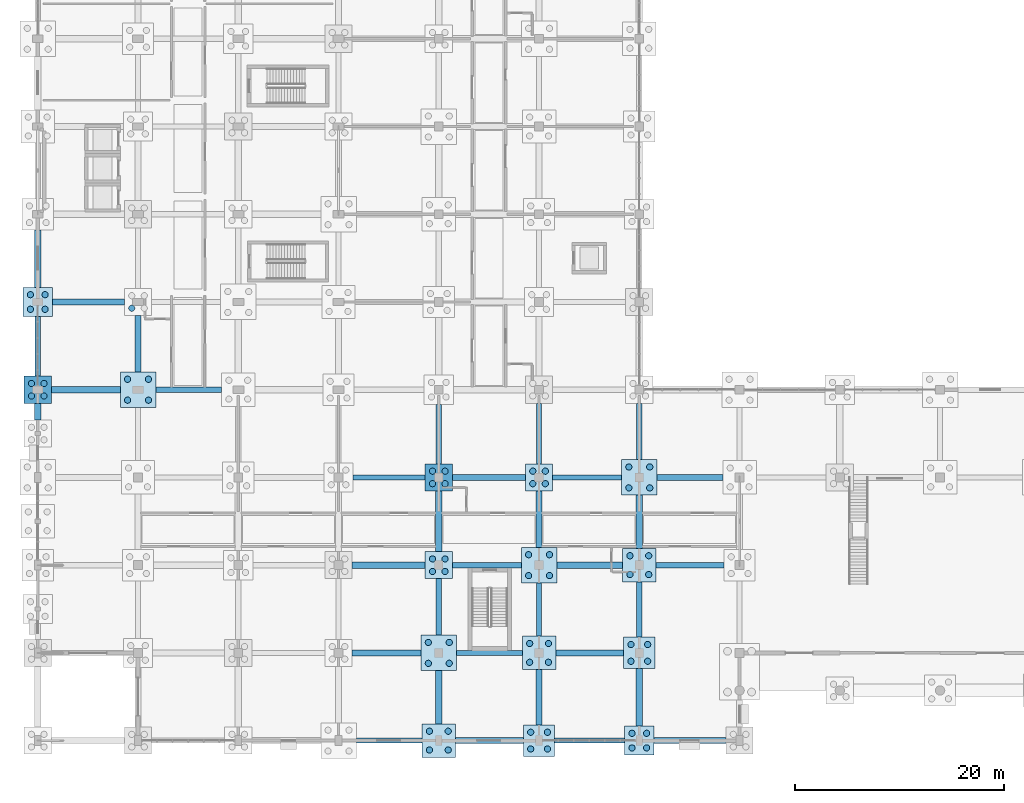
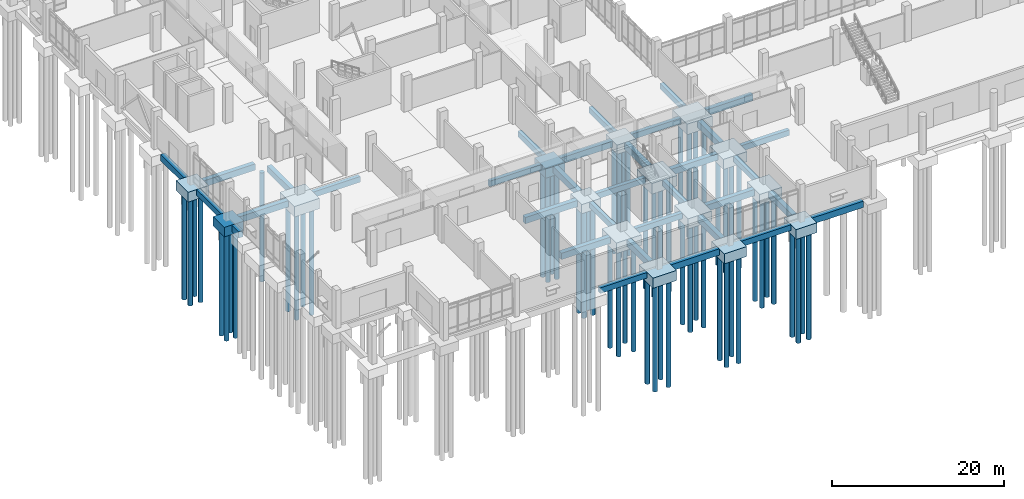
# One storey, part 2 of 136: 61 piles, 49 footings.
"""IFC4 building model written with IfcOpenShell, lengths in metres."""

from ifc_helpers import new_model, si_unit, direction, frame, origin, origin_2d, place, context, subcontext, project, spatial, rectangle, circle, extrude, material, material_profile, profile_set, type_object, element, save


model = new_model("IFC4")

# Units and contexts
model_context = context("Model", 3, precision=1e-05, world=origin(), true_north=direction((0.0, 1.0)))
body_context = subcontext(model_context, "Body", "Model", "MODEL_VIEW")
ifc_project = project(units=[si_unit("LENGTHUNIT", "METRE"), si_unit("AREAUNIT", "SQUARE_METRE"), si_unit("VOLUMEUNIT", "CUBIC_METRE"), si_unit("PLANEANGLEUNIT", "RADIAN"), si_unit("MASSUNIT", "GRAM", prefix="KILO")], contexts=[model_context])

# Site, building, storey
site_placement = place(None, origin())
site = spatial("IfcSite", under=ifc_project, at=site_placement, CompositionType="ELEMENT")
building_placement = place(site_placement, origin())
building = spatial("IfcBuilding", under=site, at=building_placement, Name="Oolite Switchyard Hospital", CompositionType="ELEMENT")
storey_placement = place(building_placement, origin())
storey = spatial("IfcBuildingStorey", under=building, at=storey_placement, Name="L00", CompositionType="ELEMENT", Elevation=0.0)

# Footings
ifc_material = material(Name="Concrete C40/50", Category="concrete")
footing_type_1 = type_object("IfcFootingType", Name="FTG-GB500X800", PredefinedType="FOOTING_BEAM", material=ifc_material)
footing_1_placement = place(storey_placement, frame((33.64990234375, 0.0, -1.14990234375), z_axis=(0.0, 0.0, 1.0), x_axis=(1.0, 0.0, 0.0)))
element("IfcFooting", 1, at=footing_1_placement, inside=storey, type_object=footing_type_1, Name="L00 Grade Beam 4", PredefinedType="FOOTING_BEAM", context=body_context, shape_type="SweptSolid", body=[
    extrude(rectangle(XDim=6.300048828125, YDim=0.5, at=origin_2d()), origin(), (0.0, 0.0, 1.0), 0.800048828125),
])
footing_2_placement = place(storey_placement, frame((52.85009765625, 0.0, -1.14990234375), z_axis=(0.0, 0.0, 1.0), x_axis=(1.0, 0.0, 0.0)))
element("IfcFooting", 2, at=footing_2_placement, inside=storey, type_object=footing_type_1, Name="L00 Grade Beam 6", PredefinedType="FOOTING_BEAM", context=body_context, shape_type="SweptSolid", body=[
    extrude(rectangle(XDim=6.699951171875, YDim=0.5, at=origin_2d()), origin(), (0.0, 0.0, 1.0), 0.800048828125),
])
footing_3_placement = place(storey_placement, frame((43.25, 8.39990234375, -1.14990234375), z_axis=(0.0, 0.0, 1.0), x_axis=(1.0, 0.0, 0.0)))
element("IfcFooting", 3, at=footing_3_placement, inside=storey, type_object=footing_type_1, Name="L00 Grade Beam 12", PredefinedType="FOOTING_BEAM", context=body_context, shape_type="SweptSolid", body=[
    extrude(rectangle(XDim=6.300048828125, YDim=0.5, at=origin_2d()), origin(), (0.0, 0.0, 1.0), 0.800048828125),
])
footing_4_placement = place(storey_placement, frame((43.0, 16.800048828125, -1.14990234375), z_axis=(0.0, 0.0, 1.0), x_axis=(1.0, 0.0, 0.0)))
element("IfcFooting", 4, at=footing_4_placement, inside=storey, type_object=footing_type_1, Name="L00 Grade Beam 24", PredefinedType="FOOTING_BEAM", context=body_context, shape_type="SweptSolid", body=[
    extrude(rectangle(XDim=6.60009765625, YDim=0.5, at=origin_2d()), origin(), (0.0, 0.0, 1.0), 0.800048828125),
])
footing_5_placement = place(storey_placement, frame((62.449951171875, 16.800048828125, -1.14990234375), z_axis=(0.0, 0.0, 1.0), x_axis=(1.0, 0.0, 0.0)))
element("IfcFooting", 5, at=footing_5_placement, inside=storey, type_object=footing_type_1, Name="L00 Grade Beam 26", PredefinedType="FOOTING_BEAM", context=body_context, shape_type="SweptSolid", body=[
    extrude(rectangle(XDim=6.5, YDim=0.5, at=origin_2d()), origin(), (0.0, 0.0, 1.0), 0.800048828125),
])
footing_6_placement = place(storey_placement, frame((33.64990234375, 25.199951171875, -1.14990234375), z_axis=(0.0, 0.0, 1.0), x_axis=(1.0, 0.0, 0.0)))
element("IfcFooting", 6, at=footing_6_placement, inside=storey, type_object=footing_type_1, Name="L00 Grade Beam 38", PredefinedType="FOOTING_BEAM", context=body_context, shape_type="SweptSolid", body=[
    extrude(rectangle(XDim=6.89990234375, YDim=0.5, at=origin_2d()), origin(), (0.0, 0.0, 1.0), 0.800048828125),
])
footing_7_placement = place(storey_placement, frame((52.60009765625, 25.199951171875, -1.14990234375), z_axis=(0.0, 0.0, 1.0), x_axis=(1.0, 0.0, 0.0)))
element("IfcFooting", 7, at=footing_7_placement, inside=storey, type_object=footing_type_1, Name="L00 Grade Beam 40", PredefinedType="FOOTING_BEAM", context=body_context, shape_type="SweptSolid", body=[
    extrude(rectangle(XDim=6.60009765625, YDim=0.5, at=origin_2d()), origin(), (0.0, 0.0, 1.0), 0.800048828125),
])
footing_8_placement = place(storey_placement, frame((14.449951171875, 33.60009765625, -1.14990234375), z_axis=(0.0, 0.0, 1.0), x_axis=(1.0, 0.0, 0.0)))
element("IfcFooting", 8, at=footing_8_placement, inside=storey, type_object=footing_type_1, Name="L00 Grade Beam 58", PredefinedType="FOOTING_BEAM", context=body_context, shape_type="SweptSolid", body=[
    extrude(rectangle(XDim=6.300048828125, YDim=0.5, at=origin_2d()), origin(), (0.0, 0.0, 1.0), 0.800048828125),
])
footing_9_placement = place(storey_placement, frame((0.0, 37.75, -1.14990234375), z_axis=(0.0, 0.0, 1.0), x_axis=(0.0, 1.0, 0.0)))
element("IfcFooting", 9, at=footing_9_placement, inside=storey, type_object=footing_type_1, Name="L00 Grade Beam 269", PredefinedType="FOOTING_BEAM", context=body_context, shape_type="SweptSolid", body=[
    extrude(rectangle(XDim=5.699951171875, YDim=0.5, at=origin_2d()), origin(), (0.0, 0.0, 1.0), 0.800048828125),
])
footing_10_placement = place(storey_placement, frame((38.39990234375, 12.800048828125, -1.14990234375), z_axis=(0.0, 0.0, 1.0), x_axis=(0.0, 1.0, 0.0)))
element("IfcFooting", 10, at=footing_10_placement, inside=storey, type_object=footing_type_1, Name="L00 Grade Beam 329", PredefinedType="FOOTING_BEAM", context=body_context, shape_type="SweptSolid", body=[
    extrude(rectangle(XDim=5.39990234375, YDim=0.5, at=origin_2d()), origin(), (0.0, 0.0, 1.0), 0.800048828125),
])
footing_11_placement = place(storey_placement, frame((38.39990234375, 29.35009765625, -1.14990234375), z_axis=(0.0, 0.0, 1.0), x_axis=(0.0, 1.0, 0.0)))
element("IfcFooting", 11, at=footing_11_placement, inside=storey, type_object=footing_type_1, Name="L00 Grade Beam 331", PredefinedType="FOOTING_BEAM", context=body_context, shape_type="SweptSolid", body=[
    extrude(rectangle(XDim=5.699951171875, YDim=0.5, at=origin_2d()), origin(), (0.0, 0.0, 1.0), 0.800048828125),
])
footing_12_placement = place(storey_placement, frame((48.0, 12.550048828125, -1.14990234375), z_axis=(0.0, 0.0, 1.0), x_axis=(0.0, 1.0, 0.0)))
element("IfcFooting", 12, at=footing_12_placement, inside=storey, type_object=footing_type_1, Name="L00 Grade Beam 345", PredefinedType="FOOTING_BEAM", context=body_context, shape_type="SweptSolid", body=[
    extrude(rectangle(XDim=5.10009765625, YDim=0.5, at=origin_2d()), origin(), (0.0, 0.0, 1.0), 0.800048828125),
])
footing_13_placement = place(storey_placement, frame((48.0, 29.39990234375, -1.14990234375), z_axis=(0.0, 0.0, 1.0), x_axis=(0.0, 1.0, 0.0)))
element("IfcFooting", 13, at=footing_13_placement, inside=storey, type_object=footing_type_1, Name="L00 Grade Beam 347", PredefinedType="FOOTING_BEAM", context=body_context, shape_type="SweptSolid", body=[
    extrude(rectangle(XDim=5.800048828125, YDim=0.5, at=origin_2d()), origin(), (0.0, 0.0, 1.0), 0.800048828125),
])
footing_14_placement = place(storey_placement, frame((57.60009765625, 12.550048828125, -1.14990234375), z_axis=(0.0, 0.0, 1.0), x_axis=(0.0, 1.0, 0.0)))
element("IfcFooting", 14, at=footing_14_placement, inside=storey, type_object=footing_type_1, Name="L00 Grade Beam 361", PredefinedType="FOOTING_BEAM", context=body_context, shape_type="SweptSolid", body=[
    extrude(rectangle(XDim=5.300048828125, YDim=0.5, at=origin_2d()), origin(), (0.0, 0.0, 1.0), 0.800048828125),
])
footing_15_placement = place(storey_placement, frame((57.60009765625, 29.60009765625, -1.14990234375), z_axis=(0.0, 0.0, 1.0), x_axis=(0.0, 1.0, 0.0)))
element("IfcFooting", 15, at=footing_15_placement, inside=storey, type_object=footing_type_1, Name="L00 Grade Beam 363", PredefinedType="FOOTING_BEAM", context=body_context, shape_type="SweptSolid", body=[
    extrude(rectangle(XDim=5.39990234375, YDim=0.5, at=origin_2d()), origin(), (0.0, 0.0, 1.0), 0.800048828125),
])
footing_type_2 = type_object("IfcFootingType", Name="FTG-GB600X900", PredefinedType="FOOTING_BEAM", material=ifc_material)
footing_16_placement = place(storey_placement, frame((43.25, 0.0, -1.25), z_axis=(0.0, 0.0, 1.0), x_axis=(1.0, 0.0, 0.0)))
element("IfcFooting", 16, at=footing_16_placement, inside=storey, type_object=footing_type_2, Name="L00 Grade Beam 5", PredefinedType="FOOTING_BEAM", context=body_context, shape_type="SweptSolid", body=[
    extrude(rectangle(XDim=6.5, YDim=0.60009765625, at=origin_2d()), origin(), (0.0, 0.0, 1.0), 0.89990234375),
])
footing_17_placement = place(storey_placement, frame((62.449951171875, 0.0, -1.25), z_axis=(0.0, 0.0, 1.0), x_axis=(1.0, 0.0, 0.0)))
element("IfcFooting", 17, at=footing_17_placement, inside=storey, type_object=footing_type_2, Name="L00 Grade Beam 7", PredefinedType="FOOTING_BEAM", context=body_context, shape_type="SweptSolid", body=[
    extrude(rectangle(XDim=6.89990234375, YDim=0.60009765625, at=origin_2d()), origin(), (0.0, 0.0, 1.0), 0.89990234375),
])
footing_18_placement = place(storey_placement, frame((33.39990234375, 8.39990234375, -1.25), z_axis=(0.0, 0.0, 1.0), x_axis=(1.0, 0.0, 0.0)))
element("IfcFooting", 18, at=footing_18_placement, inside=storey, type_object=footing_type_2, Name="L00 Grade Beam 11", PredefinedType="FOOTING_BEAM", context=body_context, shape_type="SweptSolid", body=[
    extrude(rectangle(XDim=6.60009765625, YDim=0.60009765625, at=origin_2d()), origin(), (0.0, 0.0, 1.0), 0.89990234375),
])
footing_19_placement = place(storey_placement, frame((52.85009765625, 8.39990234375, -1.25), z_axis=(0.0, 0.0, 1.0), x_axis=(1.0, 0.0, 0.0)))
element("IfcFooting", 19, at=footing_19_placement, inside=storey, type_object=footing_type_2, Name="L00 Grade Beam 13", PredefinedType="FOOTING_BEAM", context=body_context, shape_type="SweptSolid", body=[
    extrude(rectangle(XDim=6.5, YDim=0.60009765625, at=origin_2d()), origin(), (0.0, 0.0, 1.0), 0.89990234375),
])
footing_20_placement = place(storey_placement, frame((33.60009765625, 16.800048828125, -1.25), z_axis=(0.0, 0.0, 1.0), x_axis=(1.0, 0.0, 0.0)))
element("IfcFooting", 20, at=footing_20_placement, inside=storey, type_object=footing_type_2, Name="L00 Grade Beam 23", PredefinedType="FOOTING_BEAM", context=body_context, shape_type="SweptSolid", body=[
    extrude(rectangle(XDim=7.0, YDim=0.60009765625, at=origin_2d()), origin(), (0.0, 0.0, 1.0), 0.89990234375),
])
footing_21_placement = place(storey_placement, frame((52.85009765625, 16.800048828125, -1.25), z_axis=(0.0, 0.0, 1.0), x_axis=(1.0, 0.0, 0.0)))
element("IfcFooting", 21, at=footing_21_placement, inside=storey, type_object=footing_type_2, Name="L00 Grade Beam 25", PredefinedType="FOOTING_BEAM", context=body_context, shape_type="SweptSolid", body=[
    extrude(rectangle(XDim=6.300048828125, YDim=0.60009765625, at=origin_2d()), origin(), (0.0, 0.0, 1.0), 0.89990234375),
])
footing_22_placement = place(storey_placement, frame((43.199951171875, 25.199951171875, -1.25), z_axis=(0.0, 0.0, 1.0), x_axis=(1.0, 0.0, 0.0)))
element("IfcFooting", 22, at=footing_22_placement, inside=storey, type_object=footing_type_2, Name="L00 Grade Beam 39", PredefinedType="FOOTING_BEAM", context=body_context, shape_type="SweptSolid", body=[
    extrude(rectangle(XDim=7.0, YDim=0.60009765625, at=origin_2d()), origin(), (0.0, 0.0, 1.0), 0.89990234375),
])
footing_23_placement = place(storey_placement, frame((62.449951171875, 25.199951171875, -1.25), z_axis=(0.0, 0.0, 1.0), x_axis=(1.0, 0.0, 0.0)))
element("IfcFooting", 23, at=footing_23_placement, inside=storey, type_object=footing_type_2, Name="L00 Grade Beam 41", PredefinedType="FOOTING_BEAM", context=body_context, shape_type="SweptSolid", body=[
    extrude(rectangle(XDim=6.300048828125, YDim=0.60009765625, at=origin_2d()), origin(), (0.0, 0.0, 1.0), 0.89990234375),
])
footing_24_placement = place(storey_placement, frame((4.60009765625, 33.60009765625, -1.25), z_axis=(0.0, 0.0, 1.0), x_axis=(1.0, 0.0, 0.0)))
element("IfcFooting", 24, at=footing_24_placement, inside=storey, type_object=footing_type_2, Name="L00 Grade Beam 57", PredefinedType="FOOTING_BEAM", context=body_context, shape_type="SweptSolid", body=[
    extrude(rectangle(XDim=6.60009765625, YDim=0.60009765625, at=origin_2d()), origin(), (0.0, 0.0, 1.0), 0.89990234375),
])
footing_25_placement = place(storey_placement, frame((4.85009765625, 42.0, -1.25), z_axis=(0.0, 0.0, 1.0), x_axis=(1.0, 0.0, 0.0)))
element("IfcFooting", 25, at=footing_25_placement, inside=storey, type_object=footing_type_2, Name="L00 Grade Beam 73", PredefinedType="FOOTING_BEAM", context=body_context, shape_type="SweptSolid", body=[
    extrude(rectangle(XDim=6.89990234375, YDim=0.60009765625, at=origin_2d()), origin(), (0.0, 0.0, 1.0), 0.89990234375),
])
footing_26_placement = place(storey_placement, frame((0.0, 31.5, -1.25), z_axis=(0.0, 0.0, 1.0), x_axis=(0.0, 1.0, 0.0)))
element("IfcFooting", 26, at=footing_26_placement, inside=storey, type_object=footing_type_2, Name="L00 Grade Beam 268", PredefinedType="FOOTING_BEAM", context=body_context, shape_type="SweptSolid", body=[
    extrude(rectangle(XDim=1.60009765625, YDim=0.60009765625, at=origin_2d()), origin(), (0.0, 0.0, 1.0), 0.89990234375),
])
footing_27_placement = place(storey_placement, frame((0.0, 46.14990234375, -1.25), z_axis=(0.0, 0.0, 1.0), x_axis=(0.0, 1.0, 0.0)))
element("IfcFooting", 27, at=footing_27_placement, inside=storey, type_object=footing_type_2, Name="L00 Grade Beam 270", PredefinedType="FOOTING_BEAM", context=body_context, shape_type="SweptSolid", body=[
    extrude(rectangle(XDim=5.5, YDim=0.60009765625, at=origin_2d()), origin(), (0.0, 0.0, 1.0), 0.89990234375),
])
footing_28_placement = place(storey_placement, frame((9.60009765625, 38.0, -1.25), z_axis=(0.0, 0.0, 1.0), x_axis=(0.0, 1.0, 0.0)))
element("IfcFooting", 28, at=footing_28_placement, inside=storey, type_object=footing_type_2, Name="L00 Grade Beam 284", PredefinedType="FOOTING_BEAM", context=body_context, shape_type="SweptSolid", body=[
    extrude(rectangle(XDim=5.39990234375, YDim=0.60009765625, at=origin_2d()), origin(), (0.0, 0.0, 1.0), 0.89990234375),
])
footing_29_placement = place(storey_placement, frame((38.39990234375, 4.14990234375, -1.25), z_axis=(0.0, 0.0, 1.0), x_axis=(0.0, 1.0, 0.0)))
element("IfcFooting", 29, at=footing_29_placement, inside=storey, type_object=footing_type_2, Name="L00 Grade Beam 328", PredefinedType="FOOTING_BEAM", context=body_context, shape_type="SweptSolid", body=[
    extrude(rectangle(XDim=5.10009765625, YDim=0.60009765625, at=origin_2d()), origin(), (0.0, 0.0, 1.0), 0.89990234375),
])
footing_30_placement = place(storey_placement, frame((38.39990234375, 21.0, -1.25), z_axis=(0.0, 0.0, 1.0), x_axis=(0.0, 1.0, 0.0)))
element("IfcFooting", 30, at=footing_30_placement, inside=storey, type_object=footing_type_2, Name="L00 Grade Beam 330", PredefinedType="FOOTING_BEAM", context=body_context, shape_type="SweptSolid", body=[
    extrude(rectangle(XDim=5.800048828125, YDim=0.60009765625, at=origin_2d()), origin(), (0.0, 0.0, 1.0), 0.89990234375),
])
footing_31_placement = place(storey_placement, frame((48.0, 4.14990234375, -1.25), z_axis=(0.0, 0.0, 1.0), x_axis=(0.0, 1.0, 0.0)))
element("IfcFooting", 31, at=footing_31_placement, inside=storey, type_object=footing_type_2, Name="L00 Grade Beam 344", PredefinedType="FOOTING_BEAM", context=body_context, shape_type="SweptSolid", body=[
    extrude(rectangle(XDim=5.300048828125, YDim=0.60009765625, at=origin_2d()), origin(), (0.0, 0.0, 1.0), 0.89990234375),
])
footing_32_placement = place(storey_placement, frame((48.0, 21.199951171875, -1.25), z_axis=(0.0, 0.0, 1.0), x_axis=(0.0, 1.0, 0.0)))
element("IfcFooting", 32, at=footing_32_placement, inside=storey, type_object=footing_type_2, Name="L00 Grade Beam 346", PredefinedType="FOOTING_BEAM", context=body_context, shape_type="SweptSolid", body=[
    extrude(rectangle(XDim=5.39990234375, YDim=0.60009765625, at=origin_2d()), origin(), (0.0, 0.0, 1.0), 0.89990234375),
])
footing_33_placement = place(storey_placement, frame((57.60009765625, 4.14990234375, -1.25), z_axis=(0.0, 0.0, 1.0), x_axis=(0.0, 1.0, 0.0)))
element("IfcFooting", 33, at=footing_33_placement, inside=storey, type_object=footing_type_2, Name="L00 Grade Beam 360", PredefinedType="FOOTING_BEAM", context=body_context, shape_type="SweptSolid", body=[
    extrude(rectangle(XDim=5.5, YDim=0.60009765625, at=origin_2d()), origin(), (0.0, 0.0, 1.0), 0.89990234375),
])
footing_34_placement = place(storey_placement, frame((57.60009765625, 20.949951171875, -1.25), z_axis=(0.0, 0.0, 1.0), x_axis=(0.0, 1.0, 0.0)))
element("IfcFooting", 34, at=footing_34_placement, inside=storey, type_object=footing_type_2, Name="L00 Grade Beam 362", PredefinedType="FOOTING_BEAM", context=body_context, shape_type="SweptSolid", body=[
    extrude(rectangle(XDim=5.10009765625, YDim=0.60009765625, at=origin_2d()), origin(), (0.0, 0.0, 1.0), 0.89990234375),
])
footing_type_3 = type_object("IfcFootingType", Name="FTG-PC24", PredefinedType="PILE_CAP", material=ifc_material)
for number, where, z_axis, x_axis, name in (
    (35, (38.39990234375, 16.800048828125, -1.64990234375), (0.0, 0.0, 1.0), (1.0, 0.0, 0.0), "L00 Multi-Pile Cap 73"),
    (36, (48.0, 25.199951171875, -1.64990234375), (0.0, 0.0, 1.0), (1.0, 0.0, 0.0), "L00 Multi-Pile Cap 91"),
):
    element("IfcFooting", number, at=place(storey_placement, frame(where, z_axis=z_axis, x_axis=x_axis)), inside=storey, type_object=footing_type_3, Name=name, PredefinedType="PILE_CAP", context=body_context, shape_type="SweptSolid", body=[
        extrude(rectangle(XDim=2.60009765625, YDim=2.60009765625, at=origin_2d()), origin(), (0.0, 0.0, 1.0), 1.300048828125),
    ])
footing_type_4 = type_object("IfcFootingType", Name="FTG-PC26", PredefinedType="PILE_CAP", material=ifc_material)
for number, where, z_axis, x_axis, name in (
    (37, (0.0, 33.60009765625, -1.699951171875), (0.0, 0.0, 1.0), (1.0, 0.0, 0.0), "L00 Multi-Pile Cap 8"),
    (38, (38.39990234375, 25.199951171875, -1.699951171875), (0.0, 0.0, 1.0), (1.0, 0.0, 0.0), "L00 Multi-Pile Cap 74"),
):
    element("IfcFooting", number, at=place(storey_placement, frame(where, z_axis=z_axis, x_axis=x_axis)), inside=storey, type_object=footing_type_4, Name=name, PredefinedType="PILE_CAP", context=body_context, shape_type="SweptSolid", body=[
        extrude(rectangle(XDim=2.60009765625, YDim=2.60009765625, at=origin_2d()), origin(), (0.0, 0.0, 1.0), 1.35009765625),
    ])
footing_type_5 = type_object("IfcFootingType", Name="FTG-PC28", PredefinedType="PILE_CAP", material=ifc_material)
for number, where, z_axis, x_axis, name in (
    (39, (0.0, 42.0, -1.75), (0.0, 0.0, 1.0), (1.0, 0.0, 0.0), "L00 Multi-Pile Cap 9"),
    (40, (57.60009765625, 0.0, -1.75), (0.0, 0.0, 1.0), (1.0, 0.0, 0.0), "L00 Multi-Pile Cap 105"),
):
    element("IfcFooting", number, at=place(storey_placement, frame(where, z_axis=z_axis, x_axis=x_axis)), inside=storey, type_object=footing_type_5, Name=name, PredefinedType="PILE_CAP", context=body_context, shape_type="SweptSolid", body=[
        extrude(rectangle(XDim=2.800048828125, YDim=2.800048828125, at=origin_2d()), origin(), (0.0, 0.0, 1.0), 1.39990234375),
    ])
footing_type_6 = type_object("IfcFootingType", Name="FTG-PC30", PredefinedType="PILE_CAP", material=ifc_material)
for number, where, z_axis, x_axis, name in (
    (41, (48.0, 0.0, -1.77001953125), (0.0, 0.0, 1.0), (1.0, 0.0, 0.0), "L00 Multi-Pile Cap 88"),
    (42, (57.60009765625, 8.39990234375, -1.77001953125), (0.0, 0.0, 1.0), (1.0, 0.0, 0.0), "L00 Multi-Pile Cap 106"),
):
    element("IfcFooting", number, at=place(storey_placement, frame(where, z_axis=z_axis, x_axis=x_axis)), inside=storey, type_object=footing_type_6, Name=name, PredefinedType="PILE_CAP", context=body_context, shape_type="SweptSolid", body=[
        extrude(rectangle(XDim=3.0, YDim=3.0, at=origin_2d()), origin(), (0.0, 0.0, 1.0), 1.419921875),
    ])
footing_type_7 = type_object("IfcFootingType", Name="FTG-PC32", PredefinedType="PILE_CAP", material=ifc_material)
for number, where, z_axis, x_axis, name in (
    (43, (38.39990234375, 0.0, -1.7998046875), (0.0, 0.0, 1.0), (1.0, 0.0, 0.0), "L00 Multi-Pile Cap 71"),
    (44, (48.0, 8.39990234375, -1.7998046875), (0.0, 0.0, 1.0), (1.0, 0.0, 0.0), "L00 Multi-Pile Cap 89"),
    (45, (57.60009765625, 16.800048828125, -1.7998046875), (0.0, 0.0, 1.0), (1.0, 0.0, 0.0), "L00 Multi-Pile Cap 107"),
):
    element("IfcFooting", number, at=place(storey_placement, frame(where, z_axis=z_axis, x_axis=x_axis)), inside=storey, type_object=footing_type_7, Name=name, PredefinedType="PILE_CAP", context=body_context, shape_type="SweptSolid", body=[
        extrude(rectangle(XDim=3.199951171875, YDim=3.199951171875, at=origin_2d()), origin(), (0.0, 0.0, 1.0), 1.449951171875),
    ])
footing_type_8 = type_object("IfcFootingType", Name="FTG-PC34", PredefinedType="PILE_CAP", material=ifc_material)
for number, where, z_axis, x_axis, name in (
    (46, (9.60009765625, 33.60009765625, -1.85009765625), (0.0, 0.0, 1.0), (1.0, 0.0, 0.0), "L00 Multi-Pile Cap 24"),
    (47, (38.39990234375, 8.39990234375, -1.85009765625), (0.0, 0.0, 1.0), (1.0, 0.0, 0.0), "L00 Multi-Pile Cap 72"),
    (48, (48.0, 16.800048828125, -1.85009765625), (0.0, 0.0, 1.0), (1.0, 0.0, 0.0), "L00 Multi-Pile Cap 90"),
    (49, (57.60009765625, 25.199951171875, -1.85009765625), (0.0, 0.0, 1.0), (1.0, 0.0, 0.0), "L00 Multi-Pile Cap 108"),
):
    element("IfcFooting", number, at=place(storey_placement, frame(where, z_axis=z_axis, x_axis=x_axis)), inside=storey, type_object=footing_type_8, Name=name, PredefinedType="PILE_CAP", context=body_context, shape_type="SweptSolid", body=[
        extrude(rectangle(XDim=3.39990234375, YDim=3.39990234375, at=origin_2d()), origin(), (0.0, 0.0, 1.0), 1.5),
    ])

# Piles
ifc_material_profile = material_profile(ifc_material, circle(Radius=0.300048828125, at=origin_2d()), Name="PILE600")
ifc_profile_set = profile_set([ifc_material_profile], Name="Concrete C40/50")
pile_type = type_object("IfcPileType", Name="PILE-ACIP600", PredefinedType="BORED", material=ifc_profile_set)
for number, where, z_axis, x_axis, name in (
    (50, (-0.60009765625, 33.0, -1.550048828125), (0.0, 0.0, -1.0), (1.0, 0.0, 0.0), "Augercast Pile 29"),
    (51, (0.60009765625, 33.0, -1.550048828125), (0.0, 0.0, -1.0), (1.0, 0.0, 0.0), "Augercast Pile 30"),
    (52, (-0.60009765625, 34.199951171875, -1.550048828125), (0.0, 0.0, -1.0), (1.0, 0.0, 0.0), "Augercast Pile 31"),
    (53, (0.60009765625, 34.199951171875, -1.550048828125), (0.0, 0.0, -1.0), (1.0, 0.0, 0.0), "Augercast Pile 32"),
):
    element("IfcPile", number, at=place(storey_placement, frame(where, z_axis=z_axis, x_axis=x_axis)), inside=storey, type_object=pile_type, Name=name, PredefinedType="BORED", context=body_context, shape_type="SweptSolid", body=[
        extrude(circle(Radius=0.300048828125, at=origin_2d()), origin(), (0.0, 0.0, 1.0), 15.449951171875),
    ])
for number, where, z_axis, x_axis, name in (
    (54, (-0.699951171875, 41.300048828125, -1.60009765625), (0.0, 0.0, -1.0), (1.0, 0.0, 0.0), "Augercast Pile 33"),
    (55, (0.699951171875, 41.300048828125, -1.60009765625), (0.0, 0.0, -1.0), (1.0, 0.0, 0.0), "Augercast Pile 34"),
    (56, (-0.699951171875, 42.699951171875, -1.60009765625), (0.0, 0.0, -1.0), (1.0, 0.0, 0.0), "Augercast Pile 35"),
    (57, (0.699951171875, 42.699951171875, -1.60009765625), (0.0, 0.0, -1.0), (1.0, 0.0, 0.0), "Augercast Pile 36"),
):
    element("IfcPile", number, at=place(storey_placement, frame(where, z_axis=z_axis, x_axis=x_axis)), inside=storey, type_object=pile_type, Name=name, PredefinedType="BORED", context=body_context, shape_type="SweptSolid", body=[
        extrude(circle(Radius=0.300048828125, at=origin_2d()), origin(), (0.0, 0.0, 1.0), 15.39990234375),
    ])
for number, where, z_axis, x_axis, name in (
    (58, (8.60009765625, 32.60009765625, -1.699951171875), (0.0, 0.0, -1.0), (1.0, 0.0, 0.0), "Augercast Pile 93"),
    (59, (10.60009765625, 32.60009765625, -1.699951171875), (0.0, 0.0, -1.0), (1.0, 0.0, 0.0), "Augercast Pile 94"),
    (60, (8.60009765625, 34.60009765625, -1.699951171875), (0.0, 0.0, -1.0), (1.0, 0.0, 0.0), "Augercast Pile 95"),
    (61, (10.60009765625, 34.60009765625, -1.699951171875), (0.0, 0.0, -1.0), (1.0, 0.0, 0.0), "Augercast Pile 96"),
):
    element("IfcPile", number, at=place(storey_placement, frame(where, z_axis=z_axis, x_axis=x_axis)), inside=storey, type_object=pile_type, Name=name, PredefinedType="BORED", context=body_context, shape_type="SweptSolid", body=[
        extrude(circle(Radius=0.300048828125, at=origin_2d()), origin(), (0.0, 0.0, 1.0), 15.300048828125),
    ])
pile_placement = place(storey_placement, frame((9.0, 41.39990234375, -1.5), z_axis=(0.0, 0.0, -1.0), x_axis=(1.0, 0.0, 0.0)))
element("IfcPile", 62, at=pile_placement, inside=storey, type_object=pile_type, Name="Augercast Pile 97", PredefinedType="BORED", context=body_context, shape_type="SweptSolid", body=[
    extrude(circle(Radius=0.300048828125, at=origin_2d()), origin(), (0.0, 0.0, 1.0), 15.5),
])
for number, where, z_axis, x_axis, name in (
    (63, (37.5, -0.89990234375, -1.64990234375), (0.0, 0.0, -1.0), (1.0, 0.0, 0.0), "Augercast Pile 281"),
    (64, (39.300048828125, -0.89990234375, -1.64990234375), (0.0, 0.0, -1.0), (1.0, 0.0, 0.0), "Augercast Pile 282"),
    (65, (37.5, 0.89990234375, -1.64990234375), (0.0, 0.0, -1.0), (1.0, 0.0, 0.0), "Augercast Pile 283"),
    (66, (39.300048828125, 0.89990234375, -1.64990234375), (0.0, 0.0, -1.0), (1.0, 0.0, 0.0), "Augercast Pile 284"),
):
    element("IfcPile", number, at=place(storey_placement, frame(where, z_axis=z_axis, x_axis=x_axis)), inside=storey, type_object=pile_type, Name=name, PredefinedType="BORED", context=body_context, shape_type="SweptSolid", body=[
        extrude(circle(Radius=0.300048828125, at=origin_2d()), origin(), (0.0, 0.0, 1.0), 15.35009765625),
    ])
for number, where, z_axis, x_axis, name in (
    (67, (37.39990234375, 7.39990234375, -1.699951171875), (0.0, 0.0, -1.0), (1.0, 0.0, 0.0), "Augercast Pile 285"),
    (68, (39.39990234375, 7.39990234375, -1.699951171875), (0.0, 0.0, -1.0), (1.0, 0.0, 0.0), "Augercast Pile 286"),
    (69, (37.39990234375, 9.39990234375, -1.699951171875), (0.0, 0.0, -1.0), (1.0, 0.0, 0.0), "Augercast Pile 287"),
    (70, (39.39990234375, 9.39990234375, -1.699951171875), (0.0, 0.0, -1.0), (1.0, 0.0, 0.0), "Augercast Pile 288"),
):
    element("IfcPile", number, at=place(storey_placement, frame(where, z_axis=z_axis, x_axis=x_axis)), inside=storey, type_object=pile_type, Name=name, PredefinedType="BORED", context=body_context, shape_type="SweptSolid", body=[
        extrude(circle(Radius=0.300048828125, at=origin_2d()), origin(), (0.0, 0.0, 1.0), 15.300048828125),
    ])
for number, where, z_axis, x_axis, name in (
    (71, (37.800048828125, 16.199951171875, -1.5), (0.0, 0.0, -1.0), (1.0, 0.0, 0.0), "Augercast Pile 289"),
    (72, (39.0, 16.199951171875, -1.5), (0.0, 0.0, -1.0), (1.0, 0.0, 0.0), "Augercast Pile 290"),
    (73, (37.800048828125, 17.39990234375, -1.5), (0.0, 0.0, -1.0), (1.0, 0.0, 0.0), "Augercast Pile 291"),
    (74, (39.0, 17.39990234375, -1.5), (0.0, 0.0, -1.0), (1.0, 0.0, 0.0), "Augercast Pile 292"),
):
    element("IfcPile", number, at=place(storey_placement, frame(where, z_axis=z_axis, x_axis=x_axis)), inside=storey, type_object=pile_type, Name=name, PredefinedType="BORED", context=body_context, shape_type="SweptSolid", body=[
        extrude(circle(Radius=0.300048828125, at=origin_2d()), origin(), (0.0, 0.0, 1.0), 15.5),
    ])
for number, where, z_axis, x_axis, name in (
    (75, (37.800048828125, 24.60009765625, -1.550048828125), (0.0, 0.0, -1.0), (1.0, 0.0, 0.0), "Augercast Pile 293"),
    (76, (39.0, 24.60009765625, -1.550048828125), (0.0, 0.0, -1.0), (1.0, 0.0, 0.0), "Augercast Pile 294"),
    (77, (37.800048828125, 25.800048828125, -1.550048828125), (0.0, 0.0, -1.0), (1.0, 0.0, 0.0), "Augercast Pile 295"),
    (78, (39.0, 25.800048828125, -1.550048828125), (0.0, 0.0, -1.0), (1.0, 0.0, 0.0), "Augercast Pile 296"),
):
    element("IfcPile", number, at=place(storey_placement, frame(where, z_axis=z_axis, x_axis=x_axis)), inside=storey, type_object=pile_type, Name=name, PredefinedType="BORED", context=body_context, shape_type="SweptSolid", body=[
        extrude(circle(Radius=0.300048828125, at=origin_2d()), origin(), (0.0, 0.0, 1.0), 15.449951171875),
    ])
for number, where, z_axis, x_axis, name in (
    (79, (47.199951171875, -0.800048828125, -1.6201171875), (0.0, 0.0, -1.0), (1.0, 0.0, 0.0), "Augercast Pile 349"),
    (80, (48.800048828125, -0.800048828125, -1.6201171875), (0.0, 0.0, -1.0), (1.0, 0.0, 0.0), "Augercast Pile 350"),
    (81, (47.199951171875, 0.800048828125, -1.6201171875), (0.0, 0.0, -1.0), (1.0, 0.0, 0.0), "Augercast Pile 351"),
    (82, (48.800048828125, 0.800048828125, -1.6201171875), (0.0, 0.0, -1.0), (1.0, 0.0, 0.0), "Augercast Pile 352"),
):
    element("IfcPile", number, at=place(storey_placement, frame(where, z_axis=z_axis, x_axis=x_axis)), inside=storey, type_object=pile_type, Name=name, PredefinedType="BORED", context=body_context, shape_type="SweptSolid", body=[
        extrude(circle(Radius=0.300048828125, at=origin_2d()), origin(), (0.0, 0.0, 1.0), 15.3798828125),
    ])
for number, where, z_axis, x_axis, name in (
    (83, (47.10009765625, 7.5, -1.64990234375), (0.0, 0.0, -1.0), (1.0, 0.0, 0.0), "Augercast Pile 353"),
    (84, (48.89990234375, 7.5, -1.64990234375), (0.0, 0.0, -1.0), (1.0, 0.0, 0.0), "Augercast Pile 354"),
    (85, (47.10009765625, 9.300048828125, -1.64990234375), (0.0, 0.0, -1.0), (1.0, 0.0, 0.0), "Augercast Pile 355"),
    (86, (48.89990234375, 9.300048828125, -1.64990234375), (0.0, 0.0, -1.0), (1.0, 0.0, 0.0), "Augercast Pile 356"),
):
    element("IfcPile", number, at=place(storey_placement, frame(where, z_axis=z_axis, x_axis=x_axis)), inside=storey, type_object=pile_type, Name=name, PredefinedType="BORED", context=body_context, shape_type="SweptSolid", body=[
        extrude(circle(Radius=0.300048828125, at=origin_2d()), origin(), (0.0, 0.0, 1.0), 15.35009765625),
    ])
for number, where, z_axis, x_axis, name in (
    (87, (47.0, 15.800048828125, -1.699951171875), (0.0, 0.0, -1.0), (1.0, 0.0, 0.0), "Augercast Pile 357"),
    (88, (49.0, 15.800048828125, -1.699951171875), (0.0, 0.0, -1.0), (1.0, 0.0, 0.0), "Augercast Pile 358"),
    (89, (47.0, 17.800048828125, -1.699951171875), (0.0, 0.0, -1.0), (1.0, 0.0, 0.0), "Augercast Pile 359"),
    (90, (49.0, 17.800048828125, -1.699951171875), (0.0, 0.0, -1.0), (1.0, 0.0, 0.0), "Augercast Pile 360"),
):
    element("IfcPile", number, at=place(storey_placement, frame(where, z_axis=z_axis, x_axis=x_axis)), inside=storey, type_object=pile_type, Name=name, PredefinedType="BORED", context=body_context, shape_type="SweptSolid", body=[
        extrude(circle(Radius=0.300048828125, at=origin_2d()), origin(), (0.0, 0.0, 1.0), 15.300048828125),
    ])
for number, where, z_axis, x_axis, name in (
    (91, (47.39990234375, 24.60009765625, -1.5), (0.0, 0.0, -1.0), (1.0, 0.0, 0.0), "Augercast Pile 361"),
    (92, (48.60009765625, 24.60009765625, -1.5), (0.0, 0.0, -1.0), (1.0, 0.0, 0.0), "Augercast Pile 362"),
    (93, (47.39990234375, 25.800048828125, -1.5), (0.0, 0.0, -1.0), (1.0, 0.0, 0.0), "Augercast Pile 363"),
    (94, (48.60009765625, 25.800048828125, -1.5), (0.0, 0.0, -1.0), (1.0, 0.0, 0.0), "Augercast Pile 364"),
):
    element("IfcPile", number, at=place(storey_placement, frame(where, z_axis=z_axis, x_axis=x_axis)), inside=storey, type_object=pile_type, Name=name, PredefinedType="BORED", context=body_context, shape_type="SweptSolid", body=[
        extrude(circle(Radius=0.300048828125, at=origin_2d()), origin(), (0.0, 0.0, 1.0), 15.5),
    ])
for number, where, z_axis, x_axis, name in (
    (95, (56.89990234375, -0.699951171875, -1.60009765625), (0.0, 0.0, -1.0), (1.0, 0.0, 0.0), "Augercast Pile 417"),
    (96, (58.300048828125, -0.699951171875, -1.60009765625), (0.0, 0.0, -1.0), (1.0, 0.0, 0.0), "Augercast Pile 418"),
    (97, (56.89990234375, 0.699951171875, -1.60009765625), (0.0, 0.0, -1.0), (1.0, 0.0, 0.0), "Augercast Pile 419"),
    (98, (58.300048828125, 0.699951171875, -1.60009765625), (0.0, 0.0, -1.0), (1.0, 0.0, 0.0), "Augercast Pile 420"),
):
    element("IfcPile", number, at=place(storey_placement, frame(where, z_axis=z_axis, x_axis=x_axis)), inside=storey, type_object=pile_type, Name=name, PredefinedType="BORED", context=body_context, shape_type="SweptSolid", body=[
        extrude(circle(Radius=0.300048828125, at=origin_2d()), origin(), (0.0, 0.0, 1.0), 15.39990234375),
    ])
for number, where, z_axis, x_axis, name in (
    (99, (56.800048828125, 7.60009765625, -1.6201171875), (0.0, 0.0, -1.0), (1.0, 0.0, 0.0), "Augercast Pile 421"),
    (100, (58.39990234375, 7.60009765625, -1.6201171875), (0.0, 0.0, -1.0), (1.0, 0.0, 0.0), "Augercast Pile 422"),
    (101, (56.800048828125, 9.199951171875, -1.6201171875), (0.0, 0.0, -1.0), (1.0, 0.0, 0.0), "Augercast Pile 423"),
    (102, (58.39990234375, 9.199951171875, -1.6201171875), (0.0, 0.0, -1.0), (1.0, 0.0, 0.0), "Augercast Pile 424"),
):
    element("IfcPile", number, at=place(storey_placement, frame(where, z_axis=z_axis, x_axis=x_axis)), inside=storey, type_object=pile_type, Name=name, PredefinedType="BORED", context=body_context, shape_type="SweptSolid", body=[
        extrude(circle(Radius=0.300048828125, at=origin_2d()), origin(), (0.0, 0.0, 1.0), 15.3798828125),
    ])
for number, where, z_axis, x_axis, name in (
    (103, (56.699951171875, 15.89990234375, -1.64990234375), (0.0, 0.0, -1.0), (1.0, 0.0, 0.0), "Augercast Pile 425"),
    (104, (58.5, 15.89990234375, -1.64990234375), (0.0, 0.0, -1.0), (1.0, 0.0, 0.0), "Augercast Pile 426"),
    (105, (56.699951171875, 17.699951171875, -1.64990234375), (0.0, 0.0, -1.0), (1.0, 0.0, 0.0), "Augercast Pile 427"),
    (106, (58.5, 17.699951171875, -1.64990234375), (0.0, 0.0, -1.0), (1.0, 0.0, 0.0), "Augercast Pile 428"),
):
    element("IfcPile", number, at=place(storey_placement, frame(where, z_axis=z_axis, x_axis=x_axis)), inside=storey, type_object=pile_type, Name=name, PredefinedType="BORED", context=body_context, shape_type="SweptSolid", body=[
        extrude(circle(Radius=0.300048828125, at=origin_2d()), origin(), (0.0, 0.0, 1.0), 15.35009765625),
    ])
for number, where, z_axis, x_axis, name in (
    (107, (56.60009765625, 24.199951171875, -1.699951171875), (0.0, 0.0, -1.0), (1.0, 0.0, 0.0), "Augercast Pile 429"),
    (108, (58.60009765625, 24.199951171875, -1.699951171875), (0.0, 0.0, -1.0), (1.0, 0.0, 0.0), "Augercast Pile 430"),
    (109, (56.60009765625, 26.199951171875, -1.699951171875), (0.0, 0.0, -1.0), (1.0, 0.0, 0.0), "Augercast Pile 431"),
    (110, (58.60009765625, 26.199951171875, -1.699951171875), (0.0, 0.0, -1.0), (1.0, 0.0, 0.0), "Augercast Pile 432"),
):
    element("IfcPile", number, at=place(storey_placement, frame(where, z_axis=z_axis, x_axis=x_axis)), inside=storey, type_object=pile_type, Name=name, PredefinedType="BORED", context=body_context, shape_type="SweptSolid", body=[
        extrude(circle(Radius=0.300048828125, at=origin_2d()), origin(), (0.0, 0.0, 1.0), 15.300048828125),
    ])

save(model, "model.ifc")
